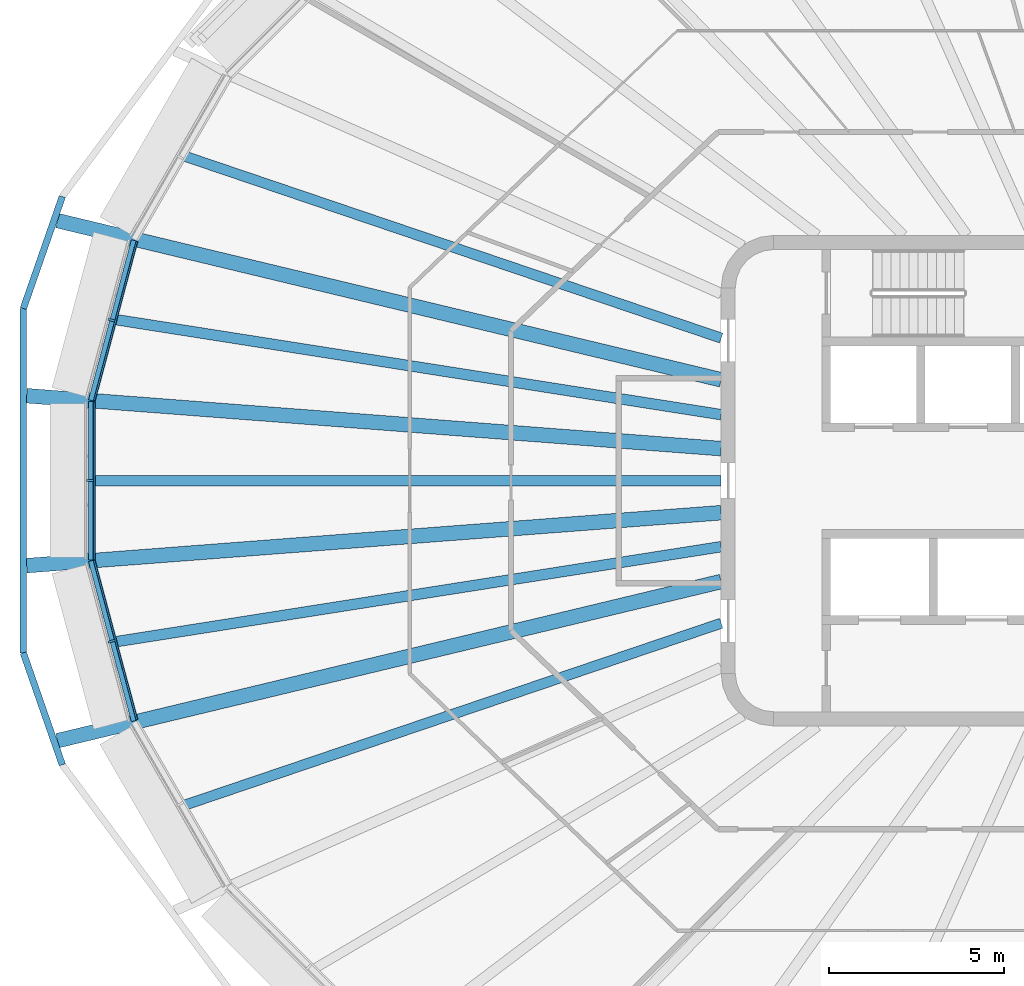
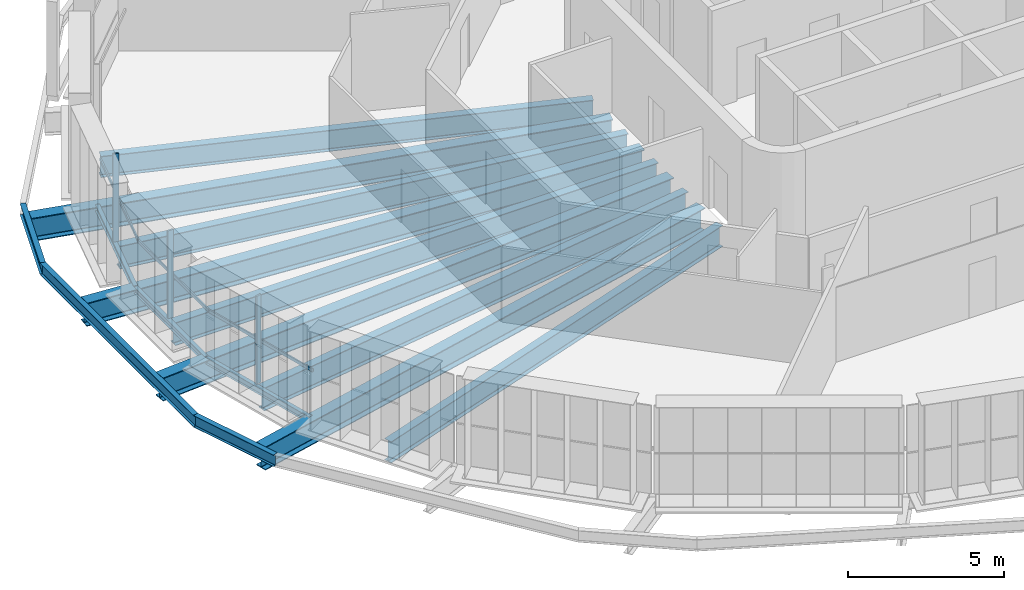
# One storey, part 3 of 21: 15 beams, 6 members, 3 elements without a shape of their own.
"""IFC4 building model written with IfcOpenShell, lengths in metres."""

import ifcopenshell
import ifcopenshell.guid

model = None  # the IFC model being written
_history = None  # IfcOwnerHistory: only IFC2X3 demands one
_inside = {}  # id of a spatial element -> (the spatial element, [elements in it])
_under = {}  # id of a project, library or spatial element -> (it, [spatial elements below it])
_declared = {}  # id of a project -> (the project, [libraries it declares])
_typed = {}  # id of a type object -> (the type object, [elements of that type])
_made_of = {}  # id of a material, layer set ... -> (it, [elements and type objects made of it])


def new_model(schema):
    """Start an empty IFC model of exactly this schema.

    Asked for "IFC4X3", IfcOpenShell would pick the latest addendum, in which some entities
    have other attributes; the version numbers below select the first issue.
    IFC2X3 requires an IfcOwnerHistory on every rooted entity: one is made here for all.
    """
    global model, _history
    if schema == "IFC4X3":
        model = ifcopenshell.file(schema_version=(4, 3, 0, 0))
    else:
        model = ifcopenshell.file(schema=schema)
    _inside.clear()
    _under.clear()
    _declared.clear()
    _typed.clear()
    _made_of.clear()
    _history = None
    if model.schema == "IFC2X3":
        org = make("IfcOrganization", Name="unknown")
        user = make(
            "IfcPersonAndOrganization",
            ThePerson=make("IfcPerson", FamilyName="unknown"),
            TheOrganization=org,
        )
        app = make(
            "IfcApplication",
            ApplicationDeveloper=org,
            Version="unknown",
            ApplicationFullName="unknown",
            ApplicationIdentifier="unknown",
        )
        _history = make(
            "IfcOwnerHistory",
            OwningUser=user,
            OwningApplication=app,
            ChangeAction="ADDED",
            CreationDate=0,
        )
    return model


def make(cls, **values):
    """One entity of the class cls with the attributes given. An attribute that is None is left unset."""
    return model.create_entity(
        cls, **{name: value for name, value in values.items() if value is not None}
    )


def rooted(cls, **values):
    """An entity with a GlobalId (a new one), such as an element, a storey or a relation."""
    return make(cls, GlobalId=ifcopenshell.guid.new(), OwnerHistory=_history, **values)


def si_unit(unit_type, name, prefix=None):
    """IfcSIUnit, for example si_unit("LENGTHUNIT", "METRE", prefix="MILLI")."""
    return make("IfcSIUnit", UnitType=unit_type, Prefix=prefix, Name=name)


def assignment(units):
    """IfcUnitAssignment: the units of a project."""
    return None if units is None else make("IfcUnitAssignment", Units=units)


def point(xyz):
    """IfcCartesianPoint."""
    return None if xyz is None else make("IfcCartesianPoint", Coordinates=xyz)


def direction(xyz):
    """IfcDirection."""
    return None if xyz is None else make("IfcDirection", DirectionRatios=xyz)


def frame(location, z_axis=None, x_axis=None):
    """IfcAxis2Placement3D, a coordinate frame: its origin and axes. An axis left out is left unset."""
    return make(
        "IfcAxis2Placement3D",
        Location=point(location),
        Axis=direction(z_axis),
        RefDirection=direction(x_axis),
    )


def frame_2d(location, x_axis=None):
    """IfcAxis2Placement2D, a coordinate frame in the plane: its origin and x axis."""
    return make(
        "IfcAxis2Placement2D", Location=point(location), RefDirection=direction(x_axis)
    )


def origin():
    """The frame at (0, 0, 0) with its axes left unset."""
    return frame((0.0, 0.0, 0.0))


def origin_2d():
    """The frame at (0, 0) in the plane with its x axis left unset."""
    return frame_2d((0.0, 0.0))


def place(relative_to, where):
    """IfcLocalPlacement: puts the frame where relative to a parent placement (None: the world)."""
    return make(
        "IfcLocalPlacement", PlacementRelTo=relative_to, RelativePlacement=where
    )


def context(
    kind, dimensions, precision=None, world=None, true_north=None, identifier=None
):
    """IfcGeometricRepresentationContext, for example the 3D "Model" context."""
    return make(
        "IfcGeometricRepresentationContext",
        ContextIdentifier=identifier,
        ContextType=kind,
        CoordinateSpaceDimension=dimensions,
        Precision=precision,
        WorldCoordinateSystem=world,
        TrueNorth=true_north,
    )


def subcontext(parent, identifier, kind, view, scale=None):
    """IfcGeometricRepresentationSubContext, for example "Body" below "Model"."""
    return make(
        "IfcGeometricRepresentationSubContext",
        ContextIdentifier=identifier,
        ContextType=kind,
        ParentContext=parent,
        TargetScale=scale,
        TargetView=view,
    )


def project(units=None, contexts=None):
    """IfcProject with its units and contexts."""
    return rooted(
        "IfcProject",
        Name="project",
        RepresentationContexts=contexts,
        UnitsInContext=assignment(units),
    )


def spatial(cls, under=None, at=None, **own):
    """A site, building, storey or space (cls), placed at a placement, below another one or the project."""
    s = rooted(cls, ObjectPlacement=at, **own)
    if under is not None:
        _under.setdefault(under.id(), (under, []))[1].append(s)
    return s


def profile(cls, at=None, kind="AREA", **sizes):
    """A parametric profile (cls). Its sizes go by their IFC names, for example OverallWidth=200.0."""
    return make(cls, ProfileType=kind, Position=at, **sizes)


def rectangle(**sizes):
    """IfcRectangleProfileDef."""
    return profile("IfcRectangleProfileDef", **sizes)


def i_section(**sizes):
    """IfcIShapeProfileDef."""
    return profile("IfcIShapeProfileDef", **sizes)


def extrude(swept, where, along, depth):
    """IfcExtrudedAreaSolid: the profile swept, set in the frame where, extruded along a direction by depth."""
    return make(
        "IfcExtrudedAreaSolid",
        SweptArea=swept,
        Position=where,
        ExtrudedDirection=direction(along),
        Depth=depth,
    )


def shape(context_of_items, identifier, shape_type, items):
    """IfcShapeRepresentation: the items that make up one representation, for example the "Body"."""
    return make(
        "IfcShapeRepresentation",
        ContextOfItems=context_of_items,
        RepresentationIdentifier=identifier,
        RepresentationType=shape_type,
        Items=items,
    )


def material(Name=None, Category=None):
    """IfcMaterial."""
    return make("IfcMaterial", Name=Name, Category=Category)


def layer(
    of_material, thickness, ventilated=None, Name=None, Category=None, Priority=None
):
    """IfcMaterialLayer: one layer of a wall or slab, of a material (None: an air gap)."""
    return make(
        "IfcMaterialLayer",
        Material=of_material,
        LayerThickness=thickness,
        IsVentilated=ventilated,
        Name=Name,
        Category=Category,
        Priority=Priority,
    )


def layer_set(layers, Name=None):
    """IfcMaterialLayerSet."""
    return make("IfcMaterialLayerSet", MaterialLayers=layers, LayerSetName=Name)


def material_profile(
    of_material, cross_section, Name=None, Category=None, Priority=None
):
    """IfcMaterialProfile: a cross section and its material."""
    return make(
        "IfcMaterialProfile",
        Name=Name,
        Material=of_material,
        Profile=cross_section,
        Priority=Priority,
        Category=Category,
    )


def profile_set(profiles, Name=None, composite=None):
    """IfcMaterialProfileSet."""
    return make(
        "IfcMaterialProfileSet",
        Name=Name,
        MaterialProfiles=profiles,
        CompositeProfile=composite,
    )


def made_of(thing, what):
    """Note that an element or type object is made of a material, layer set ...; save() writes the relation."""
    if what is not None:
        _made_of.setdefault(what.id(), (what, []))[1].append(thing)
    return thing


def type_object(cls, material=None, **own):
    """A type object (cls), such as IfcWallType, which elements share."""
    return made_of(rooted(cls, **own), material)


def element(
    cls,
    number,
    at=None,
    inside=None,
    cuts=None,
    type_object=None,
    material=None,
    context=None,
    identifier="Body",
    shape_type=None,
    held_by="IfcProductDefinitionShape",
    body=None,
    shapes=None,
    **own,
):
    """One element of the class cls, such as IfcWall. Its Tag is "e" and its number.

    at: its placement. inside: the storey or other place that contains it. cuts: it is an
    opening in that element (IfcRelVoidsElement). A single representation is given by context,
    identifier, shape_type and body (its items); several are given by shapes. held_by: the class
    of the entity that holds the representations. save() writes the other relations.
    """
    e = rooted(cls, Tag="e%d" % number, ObjectPlacement=at, **own)
    if body is not None:
        shapes = [shape(context, identifier, shape_type, body)]
    if shapes is not None:
        e.Representation = make(held_by, Representations=shapes)
    if inside is not None:
        _inside.setdefault(inside.id(), (inside, []))[1].append(e)
    if cuts is not None:
        rooted(
            "IfcRelVoidsElement", RelatingBuildingElement=cuts, RelatedOpeningElement=e
        )
    if type_object is not None:
        _typed.setdefault(type_object.id(), (type_object, []))[1].append(e)
    return made_of(e, material)


def aggregate(whole, parts):
    """IfcRelAggregates: a whole, such as a stair, and the parts it consists of."""
    return rooted("IfcRelAggregates", RelatingObject=whole, RelatedObjects=parts)


def save(model, path):
    """Write the relations noted so far, then the file.

    IfcRelAggregates (storeys below a building ...), IfcRelContainedInSpatialStructure (elements
    in a storey), IfcRelDefinesByType, IfcRelAssociatesMaterial and IfcRelDeclares: one each for
    every whole, place, type object, material and project.
    """
    for whole, parts in _under.values():
        aggregate(whole, parts)
    for where, things in _inside.values():
        rooted(
            "IfcRelContainedInSpatialStructure",
            RelatedElements=things,
            RelatingStructure=where,
        )
    for kind, things in _typed.values():
        rooted("IfcRelDefinesByType", RelatedObjects=things, RelatingType=kind)
    for what, things in _made_of.values():
        rooted("IfcRelAssociatesMaterial", RelatedObjects=things, RelatingMaterial=what)
    for by, libraries in _declared.values():
        rooted("IfcRelDeclares", RelatingContext=by, RelatedDefinitions=libraries)
    model.write(path)


model = new_model("IFC4")

# Units and contexts
model_context = context("Model", 3, precision=1e-05, world=origin(), true_north=direction((0.0, 1.0)))
body_context = subcontext(model_context, "Body", "Model", "MODEL_VIEW")
ifc_project = project(units=[si_unit("LENGTHUNIT", "METRE"), si_unit("AREAUNIT", "SQUARE_METRE"), si_unit("VOLUMEUNIT", "CUBIC_METRE"), si_unit("PLANEANGLEUNIT", "RADIAN"), si_unit("MASSUNIT", "GRAM", prefix="KILO")], contexts=[model_context])

# Site, building, storey
site_placement = place(None, origin())
site = spatial("IfcSite", under=ifc_project, at=site_placement, CompositionType="ELEMENT")
building_placement = place(site_placement, origin())
building = spatial("IfcBuilding", under=site, at=building_placement, Name="Sahrelin Media Tower", CompositionType="ELEMENT")
storey_placement = place(building_placement, frame((0.0, 0.0, 263.0)))
storey = spatial("IfcBuildingStorey", under=building, at=storey_placement, Name="L57", CompositionType="ELEMENT", Elevation=263.0)

# Beams
ifc_material_1 = material(Name="Steel S355", Category="steel")
ifc_material_profile_1 = material_profile(ifc_material_1, i_section(OverallWidth=0.14599609375, OverallDepth=0.25146484375, WebThickness=0.006103515625, FlangeThickness=0.008544921875, FilletRadius=0.007568359375, at=origin_2d()), Name="UB 254x146x31")
ifc_profile_set_1 = profile_set([ifc_material_profile_1], Name="Steel S355")
beam_type_1 = type_object("IfcBeamType", Name="Edge beam EB1", PredefinedType="BEAM", material=ifc_profile_set_1)
beam_1_placement = place(storey_placement, frame((-28.760986328125, -6.85888671875, -0.275634765625), z_axis=(-0.258803178961, 0.965930077469, 0.0), x_axis=(-0.965930077469, -0.258803178961, 0.0)))
element("IfcBeam", 1, at=beam_1_placement, inside=storey, type_object=beam_type_1, Name="Edge beam L57-09", PredefinedType="BEAM", context=body_context, shape_type="SweptSolid", body=[
    extrude(i_section(OverallWidth=0.14599609375, OverallDepth=0.25146484375, WebThickness=0.006103515625, FlangeThickness=0.008544921875, FilletRadius=0.007568359375, at=origin_2d()), origin(), (0.0, 0.0, 1.0), 4.72900390625),
])
beam_2_placement = place(storey_placement, frame((-29.988525390625, -2.26220703125, -0.275634765625), z_axis=(0.0, 1.0, 0.0), x_axis=(-1.0, 0.0, 0.0)))
element("IfcBeam", 2, at=beam_2_placement, inside=storey, type_object=beam_type_1, Name="Edge beam L57-10", PredefinedType="BEAM", context=body_context, shape_type="SweptSolid", body=[
    extrude(i_section(OverallWidth=0.14599609375, OverallDepth=0.25146484375, WebThickness=0.006103515625, FlangeThickness=0.008544921875, FilletRadius=0.007568359375, at=origin_2d()), origin(), (0.0, 0.0, 1.0), 4.5244140625),
])
beam_3_placement = place(storey_placement, frame((-29.98486328125, 2.291015625, -0.275634765625), z_axis=(0.258803178961, 0.965930077469, 0.0), x_axis=(-0.965930077469, 0.258803178961, 0.0)))
element("IfcBeam", 3, at=beam_3_placement, inside=storey, type_object=beam_type_1, Name="Edge beam L57-11", PredefinedType="BEAM", context=body_context, shape_type="SweptSolid", body=[
    extrude(i_section(OverallWidth=0.14599609375, OverallDepth=0.25146484375, WebThickness=0.006103515625, FlangeThickness=0.008544921875, FilletRadius=0.007568359375, at=origin_2d()), origin(), (0.0, 0.0, 1.0), 4.72900390625),
])

# Curtain wall, member
ifc_material_2 = material(Name="Champagne anodised aluminium 6063-T6", Category="aluminium")
ifc_layer = layer(ifc_material_2, 0.14990234375)
ifc_layer_set = layer_set([ifc_layer], Name="Tower ribbon curtain wall")
curtain_wall_type = type_object("IfcCurtainWallType", Name="Tower ribbon curtain wall", PredefinedType="NOTDEFINED", material=ifc_layer_set)
curtain_wall_1_placement = place(storey_placement, frame((-29.517578125, 4.61376953125, 0.0), z_axis=(0.0, 0.0, 1.0), x_axis=(1.0, 0.0, 0.0)))
curtain_wall_1 = element("IfcCurtainWall", 4, at=curtain_wall_1_placement, inside=storey, type_object=curtain_wall_type, Name="L57:CW:L57-11", PredefinedType="NOTDEFINED")
ifc_material_profile_2 = material_profile(ifc_material_2, rectangle(XDim=0.06005859375, YDim=0.199951171875, at=origin_2d()), Name="Mullion 60x200")
ifc_profile_set_2 = profile_set([ifc_material_profile_2], Name="Champagne anodised aluminium 6063-T6")
member_type_1 = type_object("IfcMemberType", Name="Mullion 60x200 CW1C", PredefinedType="MULLION", material=ifc_profile_set_2)
member_1_placement = place(storey_placement, frame((-29.40185546875, 4.582763671875, 0.0), z_axis=(0.0, 0.0, 1.0), x_axis=(-0.258807244073, -0.965928988288, 0.0)))
member_1 = element("IfcMember", 5, at=member_1_placement, type_object=member_type_1, Name="L57:CWM:L57-11", PredefinedType="MULLION", context=body_context, shape_type="SweptSolid", body=[
    extrude(rectangle(XDim=0.06005859375, YDim=0.199951171875, at=origin_2d()), origin(), (0.0, 0.0, 1.0), 3.448486328125),
])

curtain_wall_2_placement = place(storey_placement, frame((-30.138671875, 0.0, 0.0), z_axis=(0.0, 0.0, 1.0), x_axis=(1.0, 0.0, 0.0)))
curtain_wall_2 = element("IfcCurtainWall", 6, at=curtain_wall_2_placement, inside=storey, type_object=curtain_wall_type, Name="L57:CW:L57-12", PredefinedType="NOTDEFINED")
member_2_placement = place(storey_placement, frame((-30.0185546875, 0.0, 0.0), z_axis=(0.0, 0.0, 1.0), x_axis=(0.0, -1.0, 0.0)))
member_2 = element("IfcMember", 7, at=member_2_placement, type_object=member_type_1, Name="L57:CWM:L57-12", PredefinedType="MULLION", context=body_context, shape_type="SweptSolid", body=[
    extrude(rectangle(XDim=0.06005859375, YDim=0.199951171875, at=origin_2d()), origin(), (0.0, 0.0, 1.0), 3.448486328125),
])

curtain_wall_3_placement = place(storey_placement, frame((-29.517578125, -4.61376953125, 0.0), z_axis=(0.0, 0.0, 1.0), x_axis=(1.0, 0.0, 0.0)))
curtain_wall_3 = element("IfcCurtainWall", 8, at=curtain_wall_3_placement, inside=storey, type_object=curtain_wall_type, Name="L57:CW:L57-13", PredefinedType="NOTDEFINED")
member_3_placement = place(storey_placement, frame((-29.40185546875, -4.582763671875, 0.0), z_axis=(0.0, 0.0, 1.0), x_axis=(0.258807244073, -0.965928988288, 0.0)))
member_3 = element("IfcMember", 9, at=member_3_placement, type_object=member_type_1, Name="L57:CWM:L57-13", PredefinedType="MULLION", context=body_context, shape_type="SweptSolid", body=[
    extrude(rectangle(XDim=0.06005859375, YDim=0.199951171875, at=origin_2d()), origin(), (0.0, 0.0, 1.0), 3.448486328125),
])

# Beams
ifc_material_profile_3 = material_profile(ifc_material_1, i_section(OverallWidth=0.41845703125, OverallDepth=0.911865234375, WebThickness=0.019287109375, FlangeThickness=0.031982421875, FilletRadius=0.024169921875, at=origin_2d()), Name="UB 914x419x343")
ifc_profile_set_3 = profile_set([ifc_material_profile_3], Name="Steel S355")
beam_type_2 = type_object("IfcBeamType", Name="Radial primary beam PB12", PredefinedType="BEAM", material=ifc_profile_set_3)
beam_4_placement = place(storey_placement, frame((-12.0, 2.878173828125, -0.60595703125), z_axis=(-0.972419716898, 0.233237848962, 0.0), x_axis=(-0.233237848962, -0.972419716898, 0.0)))
element("IfcBeam", 10, at=beam_4_placement, inside=storey, type_object=beam_type_2, Name="Radial beam L57-11", PredefinedType="BEAM", context=body_context, shape_type="SweptSolid", body=[
    extrude(i_section(OverallWidth=0.41845703125, OverallDepth=0.911865234375, WebThickness=0.019287109375, FlangeThickness=0.031982421875, FilletRadius=0.024169921875, at=origin_2d()), origin(), (0.0, 0.0, 1.0), 19.47900390625),
])
for number, where, z_axis, x_axis, name in (
    (11, (-12.0, 0.914306640625, -0.60595703125), (-0.997108566156, 0.075990178964, 0.0), (-0.075990178964, -0.997108566156, 0.0), "Radial beam L57-12"),
    (12, (-12.0, -0.914306640625, -0.60595703125), (-0.997108566156, -0.075990178964, 0.0), (0.075990178964, -0.997108566156, 0.0), "Radial beam L57-13"),
):
    element("IfcBeam", number, at=place(storey_placement, frame(where, z_axis=z_axis, x_axis=x_axis)), inside=storey, type_object=beam_type_2, Name=name, PredefinedType="BEAM", context=body_context, shape_type="SweptSolid", body=[
        extrude(i_section(OverallWidth=0.41845703125, OverallDepth=0.911865234375, WebThickness=0.019287109375, FlangeThickness=0.031982421875, FilletRadius=0.024169921875, at=origin_2d()), origin(), (0.0, 0.0, 1.0), 19.87744140625),
    ])
beam_5_placement = place(storey_placement, frame((-12.0, -2.878173828125, -0.60595703125), z_axis=(-0.972419716898, -0.233237848962, 0.0), x_axis=(0.233237848962, -0.972419716898, 0.0)))
element("IfcBeam", 13, at=beam_5_placement, inside=storey, type_object=beam_type_2, Name="Radial beam L57-14", PredefinedType="BEAM", context=body_context, shape_type="SweptSolid", body=[
    extrude(i_section(OverallWidth=0.41845703125, OverallDepth=0.911865234375, WebThickness=0.019287109375, FlangeThickness=0.031982421875, FilletRadius=0.024169921875, at=origin_2d()), origin(), (0.0, 0.0, 1.0), 19.47900390625),
])
ifc_material_profile_4 = material_profile(ifc_material_1, i_section(OverallWidth=0.291748046875, OverallDepth=0.8349609375, WebThickness=0.013916015625, FlangeThickness=0.018798828125, FilletRadius=0.017822265625, at=origin_2d()), Name="UB 838x292x176")
ifc_profile_set_4 = profile_set([ifc_material_profile_4], Name="Steel S355")
beam_type_3 = type_object("IfcBeamType", Name="Radial secondary beam SB10", PredefinedType="BEAM", material=ifc_profile_set_4)
for number, where, z_axis, x_axis, name in (
    (14, (-12.0, 4.069091796875, -0.5673828125), (-0.94703727254, 0.321123659079, 0.0), (-0.321123659079, -0.94703727254, 0.0), "Secondary beam L57-09"),
    (15, (-12.0, -4.069091796875, -0.5673828125), (-0.94703727254, -0.321123659079, 0.0), (0.321123659079, -0.94703727254, 0.0), "Secondary beam L57-13"),
):
    element("IfcBeam", number, at=place(storey_placement, frame(where, z_axis=z_axis, x_axis=x_axis)), inside=storey, type_object=beam_type_3, Name=name, PredefinedType="BEAM", context=body_context, shape_type="SweptSolid", body=[
        extrude(i_section(OverallWidth=0.291748046875, OverallDepth=0.8349609375, WebThickness=0.013916015625, FlangeThickness=0.018798828125, FilletRadius=0.017822265625, at=origin_2d()), origin(), (0.0, 0.0, 1.0), 16.142822265625),
    ])
ifc_material_profile_5 = material_profile(ifc_material_1, i_section(OverallWidth=0.30322265625, OverallDepth=0.903076171875, WebThickness=0.01513671875, FlangeThickness=0.020263671875, FilletRadius=0.01904296875, at=origin_2d()), Name="UB 914x305x201")
ifc_profile_set_5 = profile_set([ifc_material_profile_5], Name="Steel S355")
beam_type_4 = type_object("IfcBeamType", Name="Radial secondary beam SB11", PredefinedType="BEAM", material=ifc_profile_set_5)
beam_6_placement = place(storey_placement, frame((-12.0, 1.884033203125, -0.6015625), z_axis=(-0.987899545174, 0.155095095487, 0.0), x_axis=(-0.155095095487, -0.987899545174, 0.0)))
element("IfcBeam", 16, at=beam_6_placement, inside=storey, type_object=beam_type_4, Name="Secondary beam L57-10", PredefinedType="BEAM", context=body_context, shape_type="SweptSolid", body=[
    extrude(i_section(OverallWidth=0.30322265625, OverallDepth=0.903076171875, WebThickness=0.01513671875, FlangeThickness=0.020263671875, FilletRadius=0.01904296875, at=origin_2d()), origin(), (0.0, 0.0, 1.0), 17.502685546875),
])
beam_7_placement = place(storey_placement, frame((-12.0, 0.0, -0.6015625), z_axis=(-1.0, 0.0, 0.0), x_axis=(0.0, -1.0, 0.0)))
element("IfcBeam", 17, at=beam_7_placement, inside=storey, type_object=beam_type_4, Name="Secondary beam L57-11", PredefinedType="BEAM", context=body_context, shape_type="SweptSolid", body=[
    extrude(i_section(OverallWidth=0.30322265625, OverallDepth=0.903076171875, WebThickness=0.01513671875, FlangeThickness=0.020263671875, FilletRadius=0.01904296875, at=origin_2d()), origin(), (0.0, 0.0, 1.0), 17.91552734375),
])
beam_8_placement = place(storey_placement, frame((-12.0, -1.884033203125, -0.6015625), z_axis=(-0.987899545174, -0.155095095487, 0.0), x_axis=(0.155095095487, -0.987899545174, 0.0)))
element("IfcBeam", 18, at=beam_8_placement, inside=storey, type_object=beam_type_4, Name="Secondary beam L57-12", PredefinedType="BEAM", context=body_context, shape_type="SweptSolid", body=[
    extrude(i_section(OverallWidth=0.30322265625, OverallDepth=0.903076171875, WebThickness=0.01513671875, FlangeThickness=0.020263671875, FilletRadius=0.01904296875, at=origin_2d()), origin(), (0.0, 0.0, 1.0), 17.502685546875),
])
ifc_material_profile_6 = material_profile(ifc_material_1, i_section(OverallWidth=0.1904296875, OverallDepth=0.45703125, WebThickness=0.009033203125, FlangeThickness=0.014404296875, FilletRadius=0.01025390625, at=origin_2d()), Name="UB 457x191x74")
ifc_profile_set_6 = profile_set([ifc_material_profile_6], Name="Steel S355")
beam_type_5 = type_object("IfcBeamType", Name="Tie chord TC5", PredefinedType="BEAM", material=ifc_profile_set_6)
beam_9_placement = place(storey_placement, frame((-30.802734375, 8.10986328125, -0.37841796875), z_axis=(-0.328775257697, -0.944408190311, 0.0), x_axis=(0.944408190311, -0.328775257697, 0.0)))
element("IfcBeam", 19, at=beam_9_placement, inside=storey, type_object=beam_type_5, Name="Tie chord L57-11", PredefinedType="BEAM", context=body_context, shape_type="SweptSolid", body=[
    extrude(i_section(OverallWidth=0.1904296875, OverallDepth=0.45703125, WebThickness=0.009033203125, FlangeThickness=0.014404296875, FilletRadius=0.01025390625, at=origin_2d()), origin(), (0.0, 0.0, 1.0), 3.384033203125),
])
beam_10_placement = place(storey_placement, frame((-31.915283203125, 4.9140625, -0.37841796875), z_axis=(0.0, -1.0, 0.0), x_axis=(1.0, 0.0, 0.0)))
element("IfcBeam", 20, at=beam_10_placement, inside=storey, type_object=beam_type_5, Name="Tie chord L57-12", PredefinedType="BEAM", context=body_context, shape_type="SweptSolid", body=[
    extrude(i_section(OverallWidth=0.1904296875, OverallDepth=0.45703125, WebThickness=0.009033203125, FlangeThickness=0.014404296875, FilletRadius=0.01025390625, at=origin_2d()), origin(), (0.0, 0.0, 1.0), 9.828125),
])
beam_11_placement = place(storey_placement, frame((-31.915283203125, -4.9140625, -0.37841796875), z_axis=(0.328775257697, -0.944408190311, 0.0), x_axis=(0.944408190311, 0.328775257697, 0.0)))
element("IfcBeam", 21, at=beam_11_placement, inside=storey, type_object=beam_type_5, Name="Tie chord L57-13", PredefinedType="BEAM", context=body_context, shape_type="SweptSolid", body=[
    extrude(i_section(OverallWidth=0.1904296875, OverallDepth=0.45703125, WebThickness=0.009033203125, FlangeThickness=0.014404296875, FilletRadius=0.01025390625, at=origin_2d()), origin(), (0.0, 0.0, 1.0), 3.384033203125),
])

# Member
ifc_material_profile_7 = material_profile(ifc_material_2, rectangle(XDim=0.050048828125, YDim=0.1201171875, at=origin_2d()), Name="Transom 50x120")
ifc_profile_set_7 = profile_set([ifc_material_profile_7], Name="Champagne anodised aluminium 6063-T6")
member_type_2 = type_object("IfcMemberType", Name="Transom 50x120 CW1C", PredefinedType="USERDEFINED", material=ifc_profile_set_7)
member_4_placement = place(storey_placement, frame((-28.673095703125, 6.819091796875, 1.60009765625), z_axis=(-0.258814017217, -0.965927173493, 0.0), x_axis=(0.965927173493, -0.258814017217, 0.0)))
member_4 = element("IfcMember", 22, at=member_4_placement, type_object=member_type_2, Name="L57:CWT:L57-11", ObjectType="TRANSOM", PredefinedType="USERDEFINED", context=body_context, shape_type="SweptSolid", body=[
    extrude(rectangle(XDim=0.050048828125, YDim=0.1201171875, at=origin_2d()), origin(), (0.0, 0.0, 1.0), 4.69775390625),
])

aggregate(curtain_wall_1, [member_1, member_4])

member_5_placement = place(storey_placement, frame((-29.8935546875, 2.24658203125, 1.60009765625), z_axis=(0.0, -1.0, 0.0), x_axis=(1.0, 0.0, 0.0)))
member_5 = element("IfcMember", 23, at=member_5_placement, type_object=member_type_2, Name="L57:CWT:L57-12", ObjectType="TRANSOM", PredefinedType="USERDEFINED", context=body_context, shape_type="SweptSolid", body=[
    extrude(rectangle(XDim=0.050048828125, YDim=0.1201171875, at=origin_2d()), origin(), (0.0, 0.0, 1.0), 4.4931640625),
])

aggregate(curtain_wall_2, [member_2, member_5])

member_6_placement = place(storey_placement, frame((-29.888916015625, -2.281494140625, 1.60009765625), z_axis=(0.258814017217, -0.965927173493, 0.0), x_axis=(0.965927173493, 0.258814017217, 0.0)))
member_6 = element("IfcMember", 24, at=member_6_placement, type_object=member_type_2, Name="L57:CWT:L57-13", ObjectType="TRANSOM", PredefinedType="USERDEFINED", context=body_context, shape_type="SweptSolid", body=[
    extrude(rectangle(XDim=0.050048828125, YDim=0.1201171875, at=origin_2d()), origin(), (0.0, 0.0, 1.0), 4.69775390625),
])

aggregate(curtain_wall_3, [member_3, member_6])

save(model, "model.ifc")
